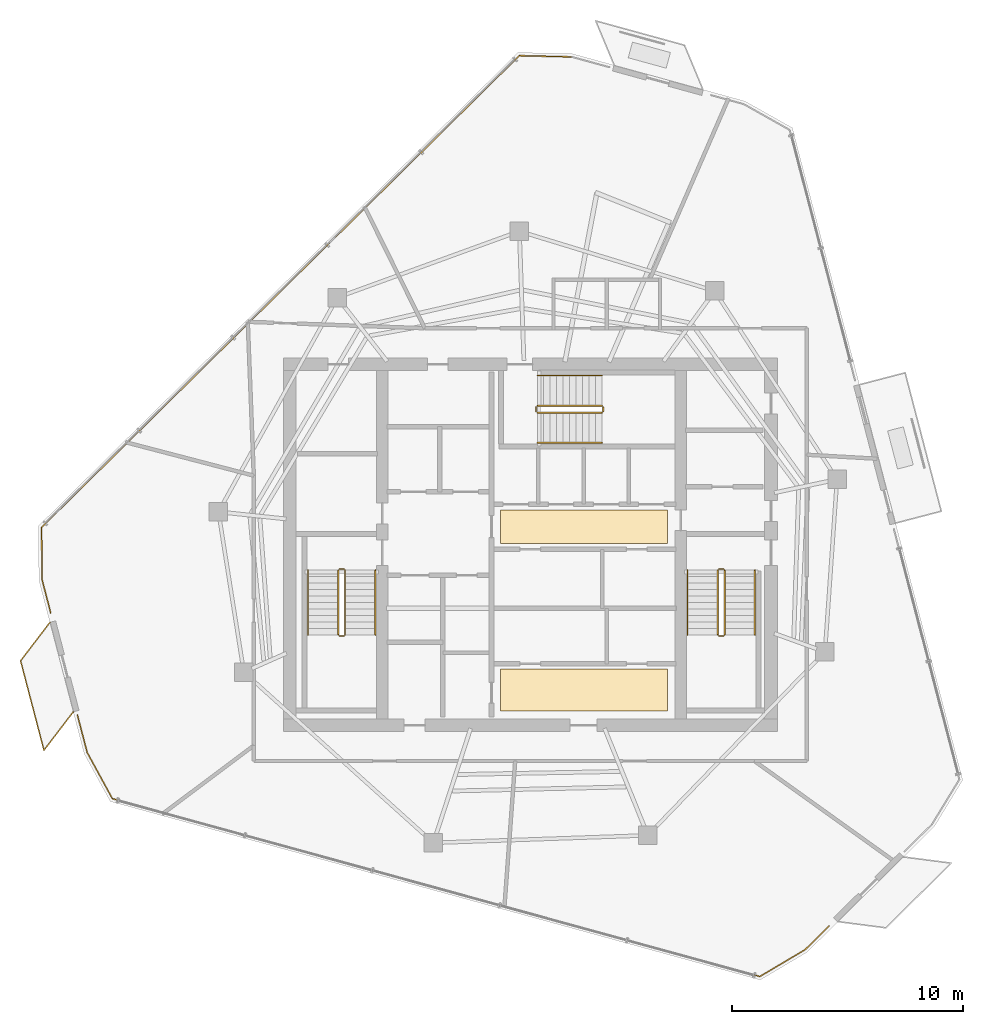
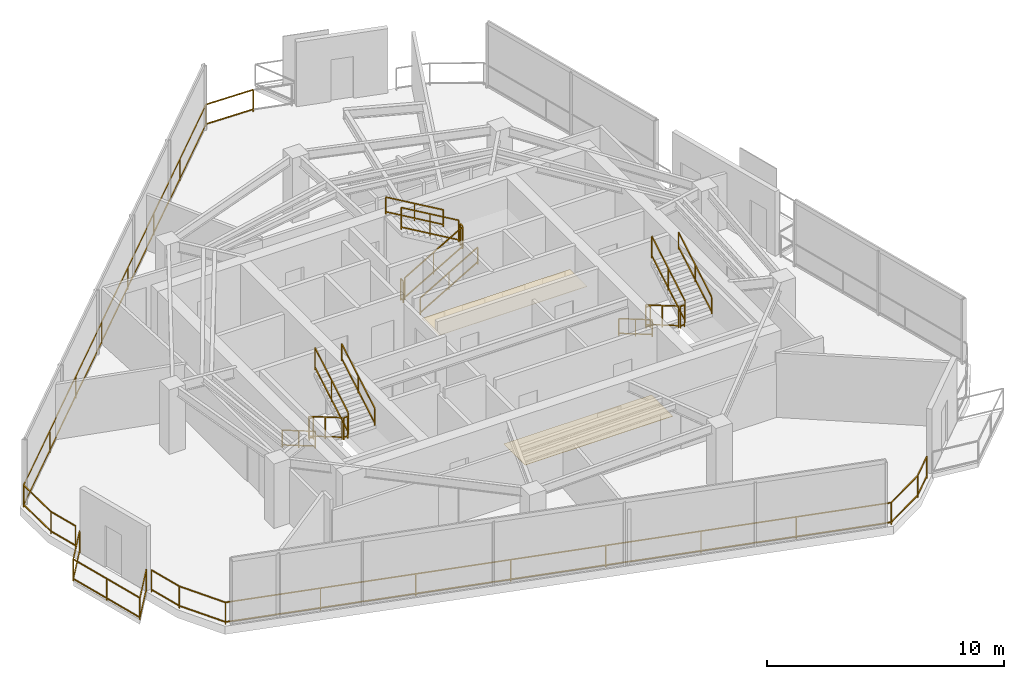
# One storey, part 18 of 19: 21 railings, 2 coverings.
"""IFC4 building model written with IfcOpenShell, lengths in metres."""

from ifc_helpers import new_model, si_unit, direction, frame, origin, origin_2d, place, context, subcontext, project, spatial, rectangle, extrude, material, layer, layer_set, type_object, element, save


model = new_model("IFC4")

# Units and contexts
model_context = context("Model", 3, precision=1e-05, world=origin(), true_north=direction((0.0, 1.0)))
body_context = subcontext(model_context, "Body", "Model", "MODEL_VIEW")
ifc_project = project(units=[si_unit("LENGTHUNIT", "METRE"), si_unit("AREAUNIT", "SQUARE_METRE"), si_unit("VOLUMEUNIT", "CUBIC_METRE"), si_unit("PLANEANGLEUNIT", "RADIAN"), si_unit("MASSUNIT", "GRAM", prefix="KILO")], contexts=[model_context])

# Site, building, storey
site_placement = place(None, origin())
site = spatial("IfcSite", under=ifc_project, at=site_placement, CompositionType="ELEMENT")
building_placement = place(site_placement, origin())
building = spatial("IfcBuilding", under=site, at=building_placement, Name="Qarnah Convention Tower", CompositionType="ELEMENT")
storey_placement = place(building_placement, frame((0.0, 0.0, 235.5)))
storey = spatial("IfcBuildingStorey", under=building, at=storey_placement, Name="L63", CompositionType="ELEMENT", Elevation=235.5)

# Coverings
ifc_material_1 = material(Name="Mineral fibre acoustic ceiling")
ifc_layer_1 = layer(ifc_material_1, 0.02001953125)
ifc_layer_set_1 = layer_set([ifc_layer_1], Name="Mineral fibre acoustic ceiling")
covering_type_1 = type_object("IfcCoveringType", Name="COV-CEIL-20", PredefinedType="CEILING", material=ifc_layer_set_1)
covering_1_placement = place(storey_placement, frame((39.52001953125, 27.179931640625, 2.2900390625), z_axis=(0.0, 0.0, 1.0), x_axis=(1.0, 0.0, 0.0)))
element("IfcCovering", 1, at=covering_1_placement, inside=storey, type_object=covering_type_1, Name="L63 lift lobby acoustic ceiling", PredefinedType="CEILING", context=body_context, shape_type="SweptSolid", body=[
    extrude(rectangle(XDim=7.199951171875, YDim=1.449951171875, at=origin_2d()), origin(), (0.0, 0.0, 1.0), 0.02001953125),
])
ifc_material_2 = material(Name="Porcelain stone floor tile", Category="masonry")
ifc_layer_2 = layer(ifc_material_2, 0.02001953125)
ifc_layer_set_2 = layer_set([ifc_layer_2], Name="Porcelain stone floor tile")
covering_type_2 = type_object("IfcCoveringType", Name="COV-FLOOR-20", PredefinedType="FLOORING", material=ifc_layer_set_2)
covering_2_placement = place(storey_placement, frame((39.52001953125, 20.1201171875, 0.0), z_axis=(0.0, 0.0, 1.0), x_axis=(1.0, 0.0, 0.0)))
element("IfcCovering", 2, at=covering_2_placement, inside=storey, type_object=covering_type_2, Name="L63 lift lobby porcelain stone flooring", PredefinedType="FLOORING", context=body_context, shape_type="SweptSolid", body=[
    extrude(rectangle(XDim=7.199951171875, YDim=1.800048828125, at=origin_2d()), origin(), (0.0, 0.0, 1.0), 0.02001953125),
])

# Railings
ifc_material_3 = material(Name="Black anodised aluminium", Category="aluminium")
railing_type_1 = type_object("IfcRailingType", Name="RL-EXT-GUARD-1150", PredefinedType="GUARDRAIL", material=ifc_material_3)
railing_1_placement = place(storey_placement, frame((50.115966796875, 9.926025390625, 0.0)))
element("IfcRailing", 3, at=railing_1_placement, inside=storey, type_object=railing_type_1, Name="L63 slab-edge perimeter safety guard 04", PredefinedType="GUARDRAIL", context=body_context, shape_type="SweptSolid", body=[
    extrude(rectangle(XDim=0.048095703125, YDim=0.048095703125, at=origin_2d()), frame((0.0, 0.0, 1.1259765625), z_axis=(-0.711506612765, -0.702679400575, 0.0), x_axis=(0.702679400575, -0.711506612765, 0.0)), (0.0, 0.0, 1.0), 1.4658203125),
    extrude(rectangle(XDim=0.048095703125, YDim=0.048095703125, at=origin_2d()), frame((0.0, 0.0, 0.1201171875), z_axis=(-0.711506612765, -0.702679400575, 0.0), x_axis=(0.702679400575, -0.711506612765, 0.0)), (0.0, 0.0, 1.0), 1.4658203125),
    extrude(rectangle(XDim=0.048095703125, YDim=0.048095703125, at=origin_2d()), frame((-1.04296875, -1.030029296875, 1.1259765625), z_axis=(-0.860219984482, -0.509923110182, 0.0), x_axis=(0.509923110182, -0.860219984482, 0.0)), (0.0, 0.0, 1.0), 2.272705078125),
    extrude(rectangle(XDim=0.048095703125, YDim=0.048095703125, at=origin_2d()), frame((-1.04296875, -1.030029296875, 0.1201171875), z_axis=(-0.860219984482, -0.509923110182, 0.0), x_axis=(0.509923110182, -0.860219984482, 0.0)), (0.0, 0.0, 1.0), 2.272705078125),
    extrude(rectangle(XDim=0.048095703125, YDim=0.048095703125, at=origin_2d()), frame((-2.998046875, -2.18896484375, 1.1259765625), z_axis=(-0.964283765281, 0.264871327279, 0.0), x_axis=(-0.264871327279, -0.964283765281, 0.0)), (0.0, 0.0, 1.0), 29.014404296875),
    extrude(rectangle(XDim=0.048095703125, YDim=0.048095703125, at=origin_2d()), frame((-2.998046875, -2.18896484375, 0.1201171875), z_axis=(-0.964283765281, 0.264871327279, 0.0), x_axis=(-0.264871327279, -0.964283765281, 0.0)), (0.0, 0.0, 1.0), 29.014404296875),
    extrude(rectangle(XDim=0.048095703125, YDim=0.048095703125, at=origin_2d()), frame((-30.97607421875, 5.49609375, 1.1259765625), z_axis=(-0.479108010477, 0.877755953723, 0.0), x_axis=(-0.877755953723, -0.479108010477, 0.0)), (0.0, 0.0, 1.0), 2.272705078125),
    extrude(rectangle(XDim=0.048095703125, YDim=0.048095703125, at=origin_2d()), frame((-30.97607421875, 5.49609375, 0.1201171875), z_axis=(-0.479108010477, 0.877755953723, 0.0), x_axis=(-0.877755953723, -0.479108010477, 0.0)), (0.0, 0.0, 1.0), 2.272705078125),
    extrude(rectangle(XDim=0.048095703125, YDim=0.048095703125, at=origin_2d()), frame((-32.06494140625, 7.490966796875, 1.1259765625), z_axis=(-0.252652813557, 0.967557003903, 0.0), x_axis=(-0.967557003903, -0.252652813557, 0.0)), (0.0, 0.0, 1.0), 1.678466796875),
    extrude(rectangle(XDim=0.048095703125, YDim=0.048095703125, at=origin_2d()), frame((-32.06494140625, 7.490966796875, 0.1201171875), z_axis=(-0.252652813557, 0.967557003903, 0.0), x_axis=(-0.967557003903, -0.252652813557, 0.0)), (0.0, 0.0, 1.0), 1.678466796875),
    extrude(rectangle(XDim=0.0419921875, YDim=0.0419921875, at=origin_2d()), origin(), (0.0, 0.0, 1.0), 1.101806640625),
    extrude(rectangle(XDim=0.0419921875, YDim=0.0419921875, at=origin_2d()), frame((-1.04296875, -1.030029296875, 0.0)), (0.0, 0.0, 1.0), 1.101806640625),
    extrude(rectangle(XDim=0.0419921875, YDim=0.0419921875, at=origin_2d()), frame((-2.998046875, -2.18896484375, 0.0)), (0.0, 0.0, 1.0), 1.101806640625),
    extrude(rectangle(XDim=0.0419921875, YDim=0.0419921875, at=origin_2d()), frame((-6.994873046875, -1.091064453125, 0.0)), (0.0, 0.0, 1.0), 1.101806640625),
    extrude(rectangle(XDim=0.0419921875, YDim=0.0419921875, at=origin_2d()), frame((-10.99169921875, 0.0068359375, 0.0)), (0.0, 0.0, 1.0), 1.101806640625),
    extrude(rectangle(XDim=0.0419921875, YDim=0.0419921875, at=origin_2d()), frame((-14.988525390625, 1.104736328125, 0.0)), (0.0, 0.0, 1.0), 1.101806640625),
    extrude(rectangle(XDim=0.0419921875, YDim=0.0419921875, at=origin_2d()), frame((-18.985595703125, 2.202392578125, 0.0)), (0.0, 0.0, 1.0), 1.101806640625),
    extrude(rectangle(XDim=0.0419921875, YDim=0.0419921875, at=origin_2d()), frame((-22.982421875, 3.30029296875, 0.0)), (0.0, 0.0, 1.0), 1.101806640625),
    extrude(rectangle(XDim=0.0419921875, YDim=0.0419921875, at=origin_2d()), frame((-26.979248046875, 4.398193359375, 0.0)), (0.0, 0.0, 1.0), 1.101806640625),
    extrude(rectangle(XDim=0.0419921875, YDim=0.0419921875, at=origin_2d()), frame((-30.97607421875, 5.49609375, 0.0)), (0.0, 0.0, 1.0), 1.101806640625),
    extrude(rectangle(XDim=0.0419921875, YDim=0.0419921875, at=origin_2d()), frame((-32.06494140625, 7.490966796875, 0.0)), (0.0, 0.0, 1.0), 1.101806640625),
    extrude(rectangle(XDim=0.0419921875, YDim=0.0419921875, at=origin_2d()), frame((-32.489013671875, 9.114990234375, 0.0)), (0.0, 0.0, 1.0), 1.101806640625),
])
railing_2_placement = place(storey_placement, frame((16.47509765625, 23.450927734375, 0.0)))
element("IfcRailing", 4, at=railing_2_placement, inside=storey, type_object=railing_type_1, Name="L63 slab-edge perimeter safety guard 05", PredefinedType="GUARDRAIL", context=body_context, shape_type="SweptSolid", body=[
    extrude(rectangle(XDim=0.048095703125, YDim=0.048095703125, at=origin_2d()), frame((0.0, 0.0, 1.1259765625), z_axis=(-0.252814580889, 0.967514748048, 0.0), x_axis=(-0.967514748048, -0.252814580889, 0.0)), (0.0, 0.0, 1.0), 1.4677734375),
    extrude(rectangle(XDim=0.048095703125, YDim=0.048095703125, at=origin_2d()), frame((0.0, 0.0, 0.1201171875), z_axis=(-0.252814580889, 0.967514748048, 0.0), x_axis=(-0.967514748048, -0.252814580889, 0.0)), (0.0, 0.0, 1.0), 1.4677734375),
    extrude(rectangle(XDim=0.048095703125, YDim=0.048095703125, at=origin_2d()), frame((-0.37109375, 1.420166015625, 1.1259765625), z_axis=(-0.010960012207, 0.999939937262, 0.0), x_axis=(-0.999939937262, -0.010960012207, 0.0)), (0.0, 0.0, 1.0), 2.272216796875),
    extrude(rectangle(XDim=0.048095703125, YDim=0.048095703125, at=origin_2d()), frame((-0.37109375, 1.420166015625, 0.1201171875), z_axis=(-0.010960012207, 0.999939937262, 0.0), x_axis=(-0.999939937262, -0.010960012207, 0.0)), (0.0, 0.0, 1.0), 2.272216796875),
    extrude(rectangle(XDim=0.048095703125, YDim=0.048095703125, at=origin_2d()), frame((-0.39599609375, 3.692138671875, 1.1259765625), z_axis=(0.711535871818, 0.702649772729, 0.0), x_axis=(-0.702649772729, 0.711535871818, 0.0)), (0.0, 0.0, 1.0), 29.012939453125),
    extrude(rectangle(XDim=0.048095703125, YDim=0.048095703125, at=origin_2d()), frame((-0.39599609375, 3.692138671875, 0.1201171875), z_axis=(0.711535871818, 0.702649772729, 0.0), x_axis=(-0.702649772729, 0.711535871818, 0.0)), (0.0, 0.0, 1.0), 29.012939453125),
    extrude(rectangle(XDim=0.048095703125, YDim=0.048095703125, at=origin_2d()), frame((20.247802734375, 24.078125, 1.1259765625), z_axis=(0.999718193171, -0.023738876189, 0.0), x_axis=(0.023738876189, 0.999718193171, 0.0)), (0.0, 0.0, 1.0), 2.27294921875),
    extrude(rectangle(XDim=0.048095703125, YDim=0.048095703125, at=origin_2d()), frame((20.247802734375, 24.078125, 0.1201171875), z_axis=(0.999718193171, -0.023738876189, 0.0), x_axis=(0.023738876189, 0.999718193171, 0.0)), (0.0, 0.0, 1.0), 2.27294921875),
    extrude(rectangle(XDim=0.0419921875, YDim=0.0419921875, at=origin_2d()), origin(), (0.0, 0.0, 1.0), 1.101806640625),
    extrude(rectangle(XDim=0.0419921875, YDim=0.0419921875, at=origin_2d()), frame((-0.37109375, 1.420166015625, 0.0)), (0.0, 0.0, 1.0), 1.101806640625),
    extrude(rectangle(XDim=0.0419921875, YDim=0.0419921875, at=origin_2d()), frame((-0.39599609375, 3.692138671875, 0.0)), (0.0, 0.0, 1.0), 1.101806640625),
    extrude(rectangle(XDim=0.0419921875, YDim=0.0419921875, at=origin_2d()), frame((2.55322265625, 6.6044921875, 0.0)), (0.0, 0.0, 1.0), 1.101806640625),
    extrude(rectangle(XDim=0.0419921875, YDim=0.0419921875, at=origin_2d()), frame((5.502197265625, 9.5166015625, 0.0)), (0.0, 0.0, 1.0), 1.101806640625),
    extrude(rectangle(XDim=0.0419921875, YDim=0.0419921875, at=origin_2d()), frame((8.451416015625, 12.428955078125, 0.0)), (0.0, 0.0, 1.0), 1.101806640625),
    extrude(rectangle(XDim=0.0419921875, YDim=0.0419921875, at=origin_2d()), frame((11.400390625, 15.34130859375, 0.0)), (0.0, 0.0, 1.0), 1.101806640625),
    extrude(rectangle(XDim=0.0419921875, YDim=0.0419921875, at=origin_2d()), frame((14.349609375, 18.253662109375, 0.0)), (0.0, 0.0, 1.0), 1.101806640625),
    extrude(rectangle(XDim=0.0419921875, YDim=0.0419921875, at=origin_2d()), frame((17.298583984375, 21.165771484375, 0.0)), (0.0, 0.0, 1.0), 1.101806640625),
    extrude(rectangle(XDim=0.0419921875, YDim=0.0419921875, at=origin_2d()), frame((20.247802734375, 24.078125, 0.0)), (0.0, 0.0, 1.0), 1.101806640625),
    extrude(rectangle(XDim=0.0419921875, YDim=0.0419921875, at=origin_2d()), frame((22.52001953125, 24.024169921875, 0.0)), (0.0, 0.0, 1.0), 1.101806640625),
])
railing_3_placement = place(storey_placement, frame((17.451904296875, 19.174072265625, 0.0)))
element("IfcRailing", 5, at=railing_3_placement, inside=storey, type_object=railing_type_1, Name="L63 balcony safety guard BAL-L63-C2", PredefinedType="GUARDRAIL", context=body_context, shape_type="SweptSolid", body=[
    extrude(rectangle(XDim=0.048095703125, YDim=0.048095703125, at=origin_2d()), frame((0.0, 0.0, 1.1259765625), z_axis=(-0.606696593563, -0.794933483607, 0.0), x_axis=(0.794933483607, -0.606696593563, 0.0)), (0.0, 0.0, 1.0), 2.09326171875),
    extrude(rectangle(XDim=0.048095703125, YDim=0.048095703125, at=origin_2d()), frame((0.0, 0.0, 0.1201171875), z_axis=(-0.606696593563, -0.794933483607, 0.0), x_axis=(0.794933483607, -0.606696593563, 0.0)), (0.0, 0.0, 1.0), 2.09326171875),
    extrude(rectangle(XDim=0.048095703125, YDim=0.048095703125, at=origin_2d()), frame((-1.27001953125, -1.6640625, 1.1259765625), z_axis=(-0.252762295215, 0.967528408946, 0.0), x_axis=(-0.967528408946, -0.252762295215, 0.0)), (0.0, 0.0, 1.0), 3.999755859375),
    extrude(rectangle(XDim=0.048095703125, YDim=0.048095703125, at=origin_2d()), frame((-1.27001953125, -1.6640625, 0.1201171875), z_axis=(-0.252762295215, 0.967528408946, 0.0), x_axis=(-0.967528408946, -0.252762295215, 0.0)), (0.0, 0.0, 1.0), 3.999755859375),
    extrude(rectangle(XDim=0.048095703125, YDim=0.048095703125, at=origin_2d()), frame((-2.281005859375, 2.205810546875, 1.1259765625), z_axis=(0.606696593563, 0.794933483607, 0.0), x_axis=(-0.794933483607, 0.606696593563, 0.0)), (0.0, 0.0, 1.0), 2.09326171875),
    extrude(rectangle(XDim=0.048095703125, YDim=0.048095703125, at=origin_2d()), frame((-2.281005859375, 2.205810546875, 0.1201171875), z_axis=(0.606696593563, 0.794933483607, 0.0), x_axis=(-0.794933483607, 0.606696593563, 0.0)), (0.0, 0.0, 1.0), 2.09326171875),
    extrude(rectangle(XDim=0.0419921875, YDim=0.0419921875, at=origin_2d()), origin(), (0.0, 0.0, 1.0), 1.101806640625),
    extrude(rectangle(XDim=0.0419921875, YDim=0.0419921875, at=origin_2d()), frame((-1.27001953125, -1.6640625, 0.0)), (0.0, 0.0, 1.0), 1.101806640625),
    extrude(rectangle(XDim=0.0419921875, YDim=0.0419921875, at=origin_2d()), frame((-1.775390625, 0.27099609375, 0.0)), (0.0, 0.0, 1.0), 1.101806640625),
    extrude(rectangle(XDim=0.0419921875, YDim=0.0419921875, at=origin_2d()), frame((-2.281005859375, 2.205810546875, 0.0)), (0.0, 0.0, 1.0), 1.101806640625),
    extrude(rectangle(XDim=0.0419921875, YDim=0.0419921875, at=origin_2d()), frame((-1.010986328125, 3.869873046875, 0.0)), (0.0, 0.0, 1.0), 1.101806640625),
])
ifc_material_4 = material(Name="Structural steel S355JR", Category="steel")
railing_type_2 = type_object("IfcRailingType", Name="RL-STAIR-GUARD-1150", PredefinedType="GUARDRAIL", material=ifc_material_4)
railing_4_placement = place(storey_placement, frame((28.89990234375, 25.300048828125, 0.16357421875)))
element("IfcRailing", 6, at=railing_4_placement, inside=storey, type_object=railing_type_2, Name="L63 ST-1 stair guard 1", PredefinedType="GUARDRAIL", context=body_context, shape_type="SweptSolid", body=[
    extrude(rectangle(XDim=0.048095703125, YDim=0.048095703125, at=origin_2d()), frame((0.0, 0.0, 1.1259765625), z_axis=(0.0, -0.863360870873, 0.504586966384), x_axis=(1.0, 0.0, 0.0)), (0.0, 0.0, 1.0), 3.2431640625),
    extrude(rectangle(XDim=0.048095703125, YDim=0.048095703125, at=origin_2d()), frame((0.0, 0.0, 0.1201171875), z_axis=(0.0, -0.863360870873, 0.504586966384), x_axis=(1.0, 0.0, 0.0)), (0.0, 0.0, 1.0), 3.2431640625),
    extrude(rectangle(XDim=0.0419921875, YDim=0.0419921875, at=origin_2d()), origin(), (0.0, 0.0, 1.0), 1.101806640625),
    extrude(rectangle(XDim=0.0419921875, YDim=0.0419921875, at=origin_2d()), frame((0.0, -1.39990234375, 0.818359375)), (0.0, 0.0, 1.0), 1.101806640625),
    extrude(rectangle(XDim=0.0419921875, YDim=0.0419921875, at=origin_2d()), frame((0.0, -2.800048828125, 1.636474609375)), (0.0, 0.0, 1.0), 1.101806640625),
])
railing_5_placement = place(storey_placement, frame((28.949951171875, 22.449951171875, 1.800048828125)))
element("IfcRailing", 7, at=railing_5_placement, inside=storey, type_object=railing_type_2, Name="L63 ST-1 stair guard 2", PredefinedType="GUARDRAIL", context=body_context, shape_type="SweptSolid", body=[
    extrude(rectangle(XDim=0.048095703125, YDim=0.048095703125, at=origin_2d()), frame((0.0, 0.0, 1.1259765625), z_axis=(1.0, 0.0, 0.0), x_axis=(0.0, 1.0, 0.0)), (0.0, 0.0, 1.0), 0.199951171875),
    extrude(rectangle(XDim=0.048095703125, YDim=0.048095703125, at=origin_2d()), frame((0.0, 0.0, 0.1201171875), z_axis=(1.0, 0.0, 0.0), x_axis=(0.0, 1.0, 0.0)), (0.0, 0.0, 1.0), 0.199951171875),
    extrude(rectangle(XDim=0.0419921875, YDim=0.0419921875, at=origin_2d()), origin(), (0.0, 0.0, 1.0), 1.101806640625),
    extrude(rectangle(XDim=0.0419921875, YDim=0.0419921875, at=origin_2d()), frame((0.199951171875, 0.0, 0.0)), (0.0, 0.0, 1.0), 1.101806640625),
])
railing_6_placement = place(storey_placement, frame((29.199951171875, 22.5, 1.963623046875)))
element("IfcRailing", 8, at=railing_6_placement, inside=storey, type_object=railing_type_2, Name="L63 ST-1 stair guard 3", PredefinedType="GUARDRAIL", context=body_context, shape_type="SweptSolid", body=[
    extrude(rectangle(XDim=0.048095703125, YDim=0.048095703125, at=origin_2d()), frame((0.0, 0.0, 1.1259765625), z_axis=(0.0, 0.863360870873, 0.504586966384), x_axis=(-1.0, 0.0, 0.0)), (0.0, 0.0, 1.0), 3.2431640625),
    extrude(rectangle(XDim=0.048095703125, YDim=0.048095703125, at=origin_2d()), frame((0.0, 0.0, 0.1201171875), z_axis=(0.0, 0.863360870873, 0.504586966384), x_axis=(-1.0, 0.0, 0.0)), (0.0, 0.0, 1.0), 3.2431640625),
    extrude(rectangle(XDim=0.0419921875, YDim=0.0419921875, at=origin_2d()), origin(), (0.0, 0.0, 1.0), 1.101806640625),
    extrude(rectangle(XDim=0.0419921875, YDim=0.0419921875, at=origin_2d()), frame((0.0, 1.39990234375, 0.818359375)), (0.0, 0.0, 1.0), 1.101806640625),
    extrude(rectangle(XDim=0.0419921875, YDim=0.0419921875, at=origin_2d()), frame((0.0, 2.800048828125, 1.636474609375)), (0.0, 0.0, 1.0), 1.101806640625),
])
railing_7_placement = place(storey_placement, frame((28.949951171875, 25.35009765625, 0.0)))
element("IfcRailing", 9, at=railing_7_placement, inside=storey, type_object=railing_type_2, Name="L63 ST-1 stair guard 4", PredefinedType="GUARDRAIL", context=body_context, shape_type="SweptSolid", body=[
    extrude(rectangle(XDim=0.048095703125, YDim=0.048095703125, at=origin_2d()), frame((0.0, 0.0, 1.1259765625), z_axis=(1.0, 0.0, 0.0), x_axis=(0.0, 1.0, 0.0)), (0.0, 0.0, 1.0), 0.199951171875),
    extrude(rectangle(XDim=0.048095703125, YDim=0.048095703125, at=origin_2d()), frame((0.0, 0.0, 0.1201171875), z_axis=(1.0, 0.0, 0.0), x_axis=(0.0, 1.0, 0.0)), (0.0, 0.0, 1.0), 0.199951171875),
    extrude(rectangle(XDim=0.0419921875, YDim=0.0419921875, at=origin_2d()), origin(), (0.0, 0.0, 1.0), 1.101806640625),
    extrude(rectangle(XDim=0.0419921875, YDim=0.0419921875, at=origin_2d()), frame((0.199951171875, 0.0, 0.0)), (0.0, 0.0, 1.0), 1.101806640625),
])
railing_8_placement = place(storey_placement, frame((45.300048828125, 25.300048828125, 0.16357421875)))
element("IfcRailing", 10, at=railing_8_placement, inside=storey, type_object=railing_type_2, Name="L63 ST-2 stair guard 1", PredefinedType="GUARDRAIL", context=body_context, shape_type="SweptSolid", body=[
    extrude(rectangle(XDim=0.048095703125, YDim=0.048095703125, at=origin_2d()), frame((0.0, 0.0, 1.1259765625), z_axis=(0.0, -0.863360870873, 0.504586966384), x_axis=(1.0, 0.0, 0.0)), (0.0, 0.0, 1.0), 3.2431640625),
    extrude(rectangle(XDim=0.048095703125, YDim=0.048095703125, at=origin_2d()), frame((0.0, 0.0, 0.1201171875), z_axis=(0.0, -0.863360870873, 0.504586966384), x_axis=(1.0, 0.0, 0.0)), (0.0, 0.0, 1.0), 3.2431640625),
    extrude(rectangle(XDim=0.0419921875, YDim=0.0419921875, at=origin_2d()), origin(), (0.0, 0.0, 1.0), 1.101806640625),
    extrude(rectangle(XDim=0.0419921875, YDim=0.0419921875, at=origin_2d()), frame((0.0, -1.39990234375, 0.818359375)), (0.0, 0.0, 1.0), 1.101806640625),
    extrude(rectangle(XDim=0.0419921875, YDim=0.0419921875, at=origin_2d()), frame((0.0, -2.800048828125, 1.636474609375)), (0.0, 0.0, 1.0), 1.101806640625),
])
railing_9_placement = place(storey_placement, frame((45.35009765625, 22.449951171875, 1.800048828125)))
element("IfcRailing", 11, at=railing_9_placement, inside=storey, type_object=railing_type_2, Name="L63 ST-2 stair guard 2", PredefinedType="GUARDRAIL", context=body_context, shape_type="SweptSolid", body=[
    extrude(rectangle(XDim=0.048095703125, YDim=0.048095703125, at=origin_2d()), frame((0.0, 0.0, 1.1259765625), z_axis=(1.0, 0.0, 0.0), x_axis=(0.0, 1.0, 0.0)), (0.0, 0.0, 1.0), 0.199951171875),
    extrude(rectangle(XDim=0.048095703125, YDim=0.048095703125, at=origin_2d()), frame((0.0, 0.0, 0.1201171875), z_axis=(1.0, 0.0, 0.0), x_axis=(0.0, 1.0, 0.0)), (0.0, 0.0, 1.0), 0.199951171875),
    extrude(rectangle(XDim=0.0419921875, YDim=0.0419921875, at=origin_2d()), origin(), (0.0, 0.0, 1.0), 1.101806640625),
    extrude(rectangle(XDim=0.0419921875, YDim=0.0419921875, at=origin_2d()), frame((0.199951171875, 0.0, 0.0)), (0.0, 0.0, 1.0), 1.101806640625),
])
railing_10_placement = place(storey_placement, frame((45.60009765625, 22.5, 1.963623046875)))
element("IfcRailing", 12, at=railing_10_placement, inside=storey, type_object=railing_type_2, Name="L63 ST-2 stair guard 3", PredefinedType="GUARDRAIL", context=body_context, shape_type="SweptSolid", body=[
    extrude(rectangle(XDim=0.048095703125, YDim=0.048095703125, at=origin_2d()), frame((0.0, 0.0, 1.1259765625), z_axis=(0.0, 0.863360870873, 0.504586966384), x_axis=(-1.0, 0.0, 0.0)), (0.0, 0.0, 1.0), 3.2431640625),
    extrude(rectangle(XDim=0.048095703125, YDim=0.048095703125, at=origin_2d()), frame((0.0, 0.0, 0.1201171875), z_axis=(0.0, 0.863360870873, 0.504586966384), x_axis=(-1.0, 0.0, 0.0)), (0.0, 0.0, 1.0), 3.2431640625),
    extrude(rectangle(XDim=0.0419921875, YDim=0.0419921875, at=origin_2d()), origin(), (0.0, 0.0, 1.0), 1.101806640625),
    extrude(rectangle(XDim=0.0419921875, YDim=0.0419921875, at=origin_2d()), frame((0.0, 1.39990234375, 0.818359375)), (0.0, 0.0, 1.0), 1.101806640625),
    extrude(rectangle(XDim=0.0419921875, YDim=0.0419921875, at=origin_2d()), frame((0.0, 2.800048828125, 1.636474609375)), (0.0, 0.0, 1.0), 1.101806640625),
])
railing_11_placement = place(storey_placement, frame((45.35009765625, 25.35009765625, 0.0)))
element("IfcRailing", 13, at=railing_11_placement, inside=storey, type_object=railing_type_2, Name="L63 ST-2 stair guard 4", PredefinedType="GUARDRAIL", context=body_context, shape_type="SweptSolid", body=[
    extrude(rectangle(XDim=0.048095703125, YDim=0.048095703125, at=origin_2d()), frame((0.0, 0.0, 1.1259765625), z_axis=(1.0, 0.0, 0.0), x_axis=(0.0, 1.0, 0.0)), (0.0, 0.0, 1.0), 0.199951171875),
    extrude(rectangle(XDim=0.048095703125, YDim=0.048095703125, at=origin_2d()), frame((0.0, 0.0, 0.1201171875), z_axis=(1.0, 0.0, 0.0), x_axis=(0.0, 1.0, 0.0)), (0.0, 0.0, 1.0), 0.199951171875),
    extrude(rectangle(XDim=0.0419921875, YDim=0.0419921875, at=origin_2d()), origin(), (0.0, 0.0, 1.0), 1.101806640625),
    extrude(rectangle(XDim=0.0419921875, YDim=0.0419921875, at=origin_2d()), frame((0.199951171875, 0.0, 0.0)), (0.0, 0.0, 1.0), 1.101806640625),
])
railing_12_placement = place(storey_placement, frame((37.5, 32.10009765625, 0.16357421875)))
element("IfcRailing", 14, at=railing_12_placement, inside=storey, type_object=railing_type_2, Name="L63 ST-3 stair guard 1", PredefinedType="GUARDRAIL", context=body_context, shape_type="SweptSolid", body=[
    extrude(rectangle(XDim=0.048095703125, YDim=0.048095703125, at=origin_2d()), frame((0.0, 0.0, 1.1259765625), z_axis=(0.863360870873, 0.0, 0.504586966384), x_axis=(0.0, 1.0, 0.0)), (0.0, 0.0, 1.0), 3.2431640625),
    extrude(rectangle(XDim=0.048095703125, YDim=0.048095703125, at=origin_2d()), frame((0.0, 0.0, 0.1201171875), z_axis=(0.863360870873, 0.0, 0.504586966384), x_axis=(0.0, 1.0, 0.0)), (0.0, 0.0, 1.0), 3.2431640625),
    extrude(rectangle(XDim=0.0419921875, YDim=0.0419921875, at=origin_2d()), origin(), (0.0, 0.0, 1.0), 1.101806640625),
    extrude(rectangle(XDim=0.0419921875, YDim=0.0419921875, at=origin_2d()), frame((1.39990234375, 0.0, 0.818359375)), (0.0, 0.0, 1.0), 1.101806640625),
    extrude(rectangle(XDim=0.0419921875, YDim=0.0419921875, at=origin_2d()), frame((2.800048828125, 0.0, 1.636474609375)), (0.0, 0.0, 1.0), 1.101806640625),
])
railing_13_placement = place(storey_placement, frame((40.35009765625, 32.14990234375, 1.800048828125)))
element("IfcRailing", 15, at=railing_13_placement, inside=storey, type_object=railing_type_2, Name="L63 ST-3 stair guard 2", PredefinedType="GUARDRAIL", context=body_context, shape_type="SweptSolid", body=[
    extrude(rectangle(XDim=0.048095703125, YDim=0.048095703125, at=origin_2d()), frame((0.0, 0.0, 1.1259765625), z_axis=(0.0, 1.0, 0.0), x_axis=(-1.0, 0.0, 0.0)), (0.0, 0.0, 1.0), 0.2001953125),
    extrude(rectangle(XDim=0.048095703125, YDim=0.048095703125, at=origin_2d()), frame((0.0, 0.0, 0.1201171875), z_axis=(0.0, 1.0, 0.0), x_axis=(-1.0, 0.0, 0.0)), (0.0, 0.0, 1.0), 0.2001953125),
    extrude(rectangle(XDim=0.0419921875, YDim=0.0419921875, at=origin_2d()), origin(), (0.0, 0.0, 1.0), 1.101806640625),
    extrude(rectangle(XDim=0.0419921875, YDim=0.0419921875, at=origin_2d()), frame((0.0, 0.2001953125, 0.0)), (0.0, 0.0, 1.0), 1.101806640625),
])
railing_14_placement = place(storey_placement, frame((40.300048828125, 32.39990234375, 1.963623046875)))
element("IfcRailing", 16, at=railing_14_placement, inside=storey, type_object=railing_type_2, Name="L63 ST-3 stair guard 3", PredefinedType="GUARDRAIL", context=body_context, shape_type="SweptSolid", body=[
    extrude(rectangle(XDim=0.048095703125, YDim=0.048095703125, at=origin_2d()), frame((0.0, 0.0, 1.1259765625), z_axis=(-0.863360870873, 0.0, 0.504586966384), x_axis=(0.0, -1.0, 0.0)), (0.0, 0.0, 1.0), 3.2431640625),
    extrude(rectangle(XDim=0.048095703125, YDim=0.048095703125, at=origin_2d()), frame((0.0, 0.0, 0.1201171875), z_axis=(-0.863360870873, 0.0, 0.504586966384), x_axis=(0.0, -1.0, 0.0)), (0.0, 0.0, 1.0), 3.2431640625),
    extrude(rectangle(XDim=0.0419921875, YDim=0.0419921875, at=origin_2d()), origin(), (0.0, 0.0, 1.0), 1.101806640625),
    extrude(rectangle(XDim=0.0419921875, YDim=0.0419921875, at=origin_2d()), frame((-1.39990234375, 0.0, 0.818359375)), (0.0, 0.0, 1.0), 1.101806640625),
    extrude(rectangle(XDim=0.0419921875, YDim=0.0419921875, at=origin_2d()), frame((-2.800048828125, 0.0, 1.636474609375)), (0.0, 0.0, 1.0), 1.101806640625),
])
railing_15_placement = place(storey_placement, frame((37.449951171875, 32.14990234375, 0.0)))
element("IfcRailing", 17, at=railing_15_placement, inside=storey, type_object=railing_type_2, Name="L63 ST-3 stair guard 4", PredefinedType="GUARDRAIL", context=body_context, shape_type="SweptSolid", body=[
    extrude(rectangle(XDim=0.048095703125, YDim=0.048095703125, at=origin_2d()), frame((0.0, 0.0, 1.1259765625), z_axis=(0.0, 1.0, 0.0), x_axis=(-1.0, 0.0, 0.0)), (0.0, 0.0, 1.0), 0.2001953125),
    extrude(rectangle(XDim=0.048095703125, YDim=0.048095703125, at=origin_2d()), frame((0.0, 0.0, 0.1201171875), z_axis=(0.0, 1.0, 0.0), x_axis=(-1.0, 0.0, 0.0)), (0.0, 0.0, 1.0), 0.2001953125),
    extrude(rectangle(XDim=0.0419921875, YDim=0.0419921875, at=origin_2d()), origin(), (0.0, 0.0, 1.0), 1.101806640625),
    extrude(rectangle(XDim=0.0419921875, YDim=0.0419921875, at=origin_2d()), frame((0.0, 0.2001953125, 0.0)), (0.0, 0.0, 1.0), 1.101806640625),
])
railing_type_3 = type_object("IfcRailingType", Name="RL-STAIR-HAND-900", PredefinedType="HANDRAIL", material=ifc_material_4)
railing_16_placement = place(storey_placement, frame((27.60009765625, 25.300048828125, 0.16357421875)))
element("IfcRailing", 18, at=railing_16_placement, inside=storey, type_object=railing_type_3, Name="L63 ST-1 stair handrail 1", PredefinedType="HANDRAIL", context=body_context, shape_type="SweptSolid", body=[
    extrude(rectangle(XDim=0.048095703125, YDim=0.048095703125, at=origin_2d()), frame((0.0, 0.0, 0.8759765625), z_axis=(0.0, -0.863360870873, 0.504586966384), x_axis=(1.0, 0.0, 0.0)), (0.0, 0.0, 1.0), 3.2431640625),
    extrude(rectangle(XDim=0.048095703125, YDim=0.048095703125, at=origin_2d()), frame((0.0, 0.0, 0.1201171875), z_axis=(0.0, -0.863360870873, 0.504586966384), x_axis=(1.0, 0.0, 0.0)), (0.0, 0.0, 1.0), 3.2431640625),
    extrude(rectangle(XDim=0.0419921875, YDim=0.0419921875, at=origin_2d()), origin(), (0.0, 0.0, 1.0), 0.851806640625),
    extrude(rectangle(XDim=0.0419921875, YDim=0.0419921875, at=origin_2d()), frame((0.0, -1.39990234375, 0.818359375)), (0.0, 0.0, 1.0), 0.851806640625),
    extrude(rectangle(XDim=0.0419921875, YDim=0.0419921875, at=origin_2d()), frame((0.0, -2.800048828125, 1.636474609375)), (0.0, 0.0, 1.0), 0.851806640625),
])
railing_17_placement = place(storey_placement, frame((30.5, 22.5, 1.963623046875)))
element("IfcRailing", 19, at=railing_17_placement, inside=storey, type_object=railing_type_3, Name="L63 ST-1 stair handrail 2", PredefinedType="HANDRAIL", context=body_context, shape_type="SweptSolid", body=[
    extrude(rectangle(XDim=0.048095703125, YDim=0.048095703125, at=origin_2d()), frame((0.0, 0.0, 0.8759765625), z_axis=(0.0, 0.863360870873, 0.504586966384), x_axis=(-1.0, 0.0, 0.0)), (0.0, 0.0, 1.0), 3.2431640625),
    extrude(rectangle(XDim=0.048095703125, YDim=0.048095703125, at=origin_2d()), frame((0.0, 0.0, 0.1201171875), z_axis=(0.0, 0.863360870873, 0.504586966384), x_axis=(-1.0, 0.0, 0.0)), (0.0, 0.0, 1.0), 3.2431640625),
    extrude(rectangle(XDim=0.0419921875, YDim=0.0419921875, at=origin_2d()), origin(), (0.0, 0.0, 1.0), 0.851806640625),
    extrude(rectangle(XDim=0.0419921875, YDim=0.0419921875, at=origin_2d()), frame((0.0, 1.39990234375, 0.818359375)), (0.0, 0.0, 1.0), 0.851806640625),
    extrude(rectangle(XDim=0.0419921875, YDim=0.0419921875, at=origin_2d()), frame((0.0, 2.800048828125, 1.636474609375)), (0.0, 0.0, 1.0), 0.851806640625),
])
railing_18_placement = place(storey_placement, frame((44.0, 25.300048828125, 0.16357421875)))
element("IfcRailing", 20, at=railing_18_placement, inside=storey, type_object=railing_type_3, Name="L63 ST-2 stair handrail 1", PredefinedType="HANDRAIL", context=body_context, shape_type="SweptSolid", body=[
    extrude(rectangle(XDim=0.048095703125, YDim=0.048095703125, at=origin_2d()), frame((0.0, 0.0, 0.8759765625), z_axis=(0.0, -0.863360870873, 0.504586966384), x_axis=(1.0, 0.0, 0.0)), (0.0, 0.0, 1.0), 3.2431640625),
    extrude(rectangle(XDim=0.048095703125, YDim=0.048095703125, at=origin_2d()), frame((0.0, 0.0, 0.1201171875), z_axis=(0.0, -0.863360870873, 0.504586966384), x_axis=(1.0, 0.0, 0.0)), (0.0, 0.0, 1.0), 3.2431640625),
    extrude(rectangle(XDim=0.0419921875, YDim=0.0419921875, at=origin_2d()), origin(), (0.0, 0.0, 1.0), 0.851806640625),
    extrude(rectangle(XDim=0.0419921875, YDim=0.0419921875, at=origin_2d()), frame((0.0, -1.39990234375, 0.818359375)), (0.0, 0.0, 1.0), 0.851806640625),
    extrude(rectangle(XDim=0.0419921875, YDim=0.0419921875, at=origin_2d()), frame((0.0, -2.800048828125, 1.636474609375)), (0.0, 0.0, 1.0), 0.851806640625),
])
railing_19_placement = place(storey_placement, frame((46.89990234375, 22.5, 1.963623046875)))
element("IfcRailing", 21, at=railing_19_placement, inside=storey, type_object=railing_type_3, Name="L63 ST-2 stair handrail 2", PredefinedType="HANDRAIL", context=body_context, shape_type="SweptSolid", body=[
    extrude(rectangle(XDim=0.048095703125, YDim=0.048095703125, at=origin_2d()), frame((0.0, 0.0, 0.8759765625), z_axis=(0.0, 0.863360870873, 0.504586966384), x_axis=(-1.0, 0.0, 0.0)), (0.0, 0.0, 1.0), 3.2431640625),
    extrude(rectangle(XDim=0.048095703125, YDim=0.048095703125, at=origin_2d()), frame((0.0, 0.0, 0.1201171875), z_axis=(0.0, 0.863360870873, 0.504586966384), x_axis=(-1.0, 0.0, 0.0)), (0.0, 0.0, 1.0), 3.2431640625),
    extrude(rectangle(XDim=0.0419921875, YDim=0.0419921875, at=origin_2d()), origin(), (0.0, 0.0, 1.0), 0.851806640625),
    extrude(rectangle(XDim=0.0419921875, YDim=0.0419921875, at=origin_2d()), frame((0.0, 1.39990234375, 0.818359375)), (0.0, 0.0, 1.0), 0.851806640625),
    extrude(rectangle(XDim=0.0419921875, YDim=0.0419921875, at=origin_2d()), frame((0.0, 2.800048828125, 1.636474609375)), (0.0, 0.0, 1.0), 0.851806640625),
])
railing_20_placement = place(storey_placement, frame((37.5, 30.800048828125, 0.16357421875)))
element("IfcRailing", 22, at=railing_20_placement, inside=storey, type_object=railing_type_3, Name="L63 ST-3 stair handrail 1", PredefinedType="HANDRAIL", context=body_context, shape_type="SweptSolid", body=[
    extrude(rectangle(XDim=0.048095703125, YDim=0.048095703125, at=origin_2d()), frame((0.0, 0.0, 0.8759765625), z_axis=(0.863360870873, 0.0, 0.504586966384), x_axis=(0.0, 1.0, 0.0)), (0.0, 0.0, 1.0), 3.2431640625),
    extrude(rectangle(XDim=0.048095703125, YDim=0.048095703125, at=origin_2d()), frame((0.0, 0.0, 0.1201171875), z_axis=(0.863360870873, 0.0, 0.504586966384), x_axis=(0.0, 1.0, 0.0)), (0.0, 0.0, 1.0), 3.2431640625),
    extrude(rectangle(XDim=0.0419921875, YDim=0.0419921875, at=origin_2d()), origin(), (0.0, 0.0, 1.0), 0.851806640625),
    extrude(rectangle(XDim=0.0419921875, YDim=0.0419921875, at=origin_2d()), frame((1.39990234375, 0.0, 0.818359375)), (0.0, 0.0, 1.0), 0.851806640625),
    extrude(rectangle(XDim=0.0419921875, YDim=0.0419921875, at=origin_2d()), frame((2.800048828125, 0.0, 1.636474609375)), (0.0, 0.0, 1.0), 0.851806640625),
])
railing_21_placement = place(storey_placement, frame((40.300048828125, 33.699951171875, 1.963623046875)))
element("IfcRailing", 23, at=railing_21_placement, inside=storey, type_object=railing_type_3, Name="L63 ST-3 stair handrail 2", PredefinedType="HANDRAIL", context=body_context, shape_type="SweptSolid", body=[
    extrude(rectangle(XDim=0.048095703125, YDim=0.048095703125, at=origin_2d()), frame((0.0, 0.0, 0.8759765625), z_axis=(-0.863360870873, 0.0, 0.504586966384), x_axis=(0.0, -1.0, 0.0)), (0.0, 0.0, 1.0), 3.2431640625),
    extrude(rectangle(XDim=0.048095703125, YDim=0.048095703125, at=origin_2d()), frame((0.0, 0.0, 0.1201171875), z_axis=(-0.863360870873, 0.0, 0.504586966384), x_axis=(0.0, -1.0, 0.0)), (0.0, 0.0, 1.0), 3.2431640625),
    extrude(rectangle(XDim=0.0419921875, YDim=0.0419921875, at=origin_2d()), origin(), (0.0, 0.0, 1.0), 0.851806640625),
    extrude(rectangle(XDim=0.0419921875, YDim=0.0419921875, at=origin_2d()), frame((-1.39990234375, 0.0, 0.818359375)), (0.0, 0.0, 1.0), 0.851806640625),
    extrude(rectangle(XDim=0.0419921875, YDim=0.0419921875, at=origin_2d()), frame((-2.800048828125, 0.0, 1.636474609375)), (0.0, 0.0, 1.0), 0.851806640625),
])

save(model, "model.ifc")
